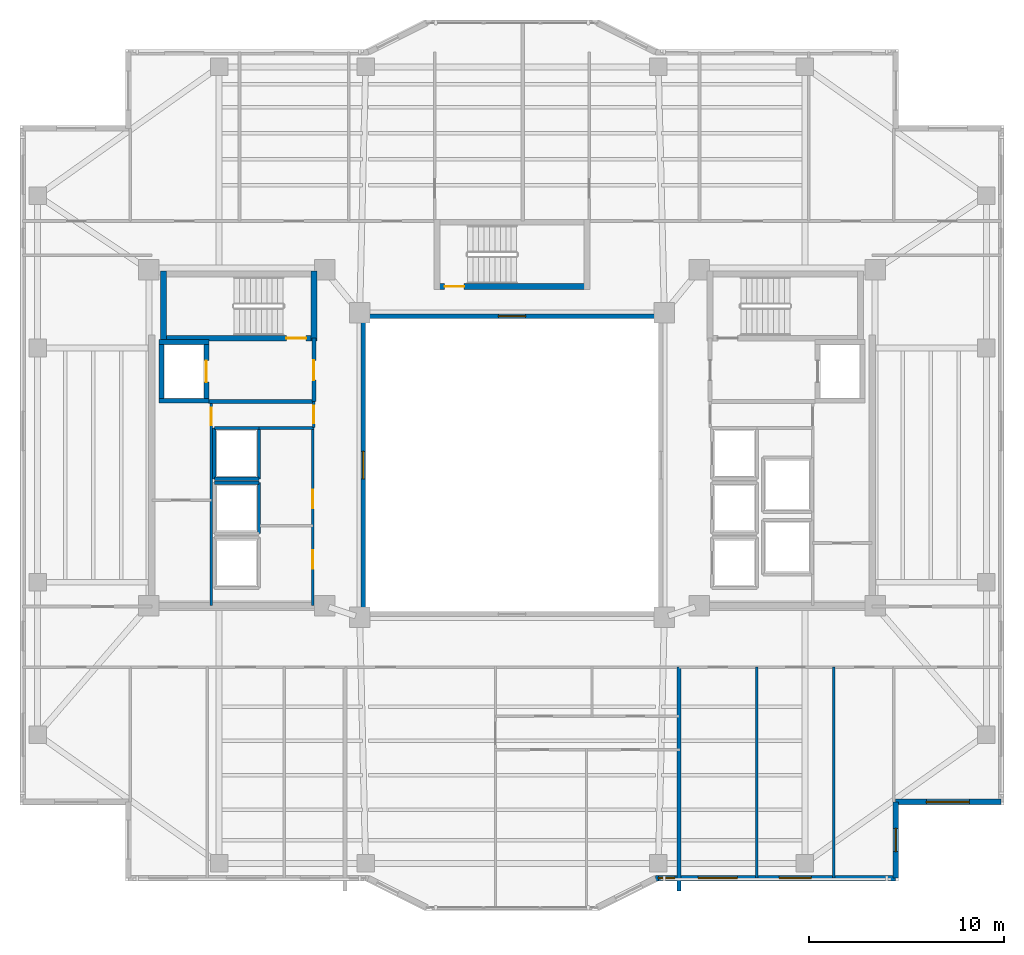
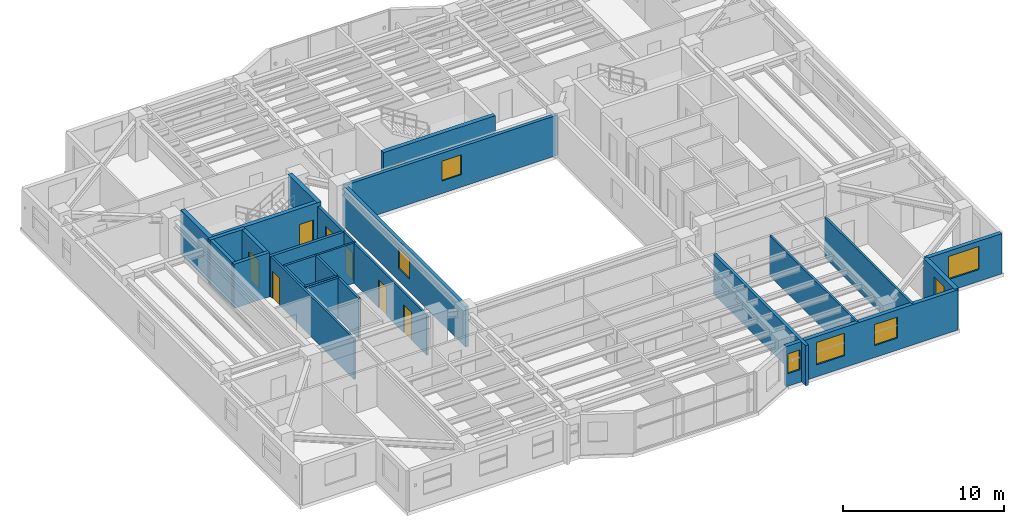
# One storey, part 7 of 15: 28 walls, 8 doors, 7 windows, 15 openings.
"""IFC4 building model written with IfcOpenShell, lengths in metres."""

import ifcopenshell
import ifcopenshell.guid

model = None  # the IFC model being written
_history = None  # IfcOwnerHistory: only IFC2X3 demands one
_inside = {}  # id of a spatial element -> (the spatial element, [elements in it])
_under = {}  # id of a project, library or spatial element -> (it, [spatial elements below it])
_declared = {}  # id of a project -> (the project, [libraries it declares])
_typed = {}  # id of a type object -> (the type object, [elements of that type])
_made_of = {}  # id of a material, layer set ... -> (it, [elements and type objects made of it])


def new_model(schema):
    """Start an empty IFC model of exactly this schema.

    Asked for "IFC4X3", IfcOpenShell would pick the latest addendum, in which some entities
    have other attributes; the version numbers below select the first issue.
    IFC2X3 requires an IfcOwnerHistory on every rooted entity: one is made here for all.
    """
    global model, _history
    if schema == "IFC4X3":
        model = ifcopenshell.file(schema_version=(4, 3, 0, 0))
    else:
        model = ifcopenshell.file(schema=schema)
    _inside.clear()
    _under.clear()
    _declared.clear()
    _typed.clear()
    _made_of.clear()
    _history = None
    if model.schema == "IFC2X3":
        org = make("IfcOrganization", Name="unknown")
        user = make(
            "IfcPersonAndOrganization",
            ThePerson=make("IfcPerson", FamilyName="unknown"),
            TheOrganization=org,
        )
        app = make(
            "IfcApplication",
            ApplicationDeveloper=org,
            Version="unknown",
            ApplicationFullName="unknown",
            ApplicationIdentifier="unknown",
        )
        _history = make(
            "IfcOwnerHistory",
            OwningUser=user,
            OwningApplication=app,
            ChangeAction="ADDED",
            CreationDate=0,
        )
    return model


def make(cls, **values):
    """One entity of the class cls with the attributes given. An attribute that is None is left unset."""
    return model.create_entity(
        cls, **{name: value for name, value in values.items() if value is not None}
    )


def rooted(cls, **values):
    """An entity with a GlobalId (a new one), such as an element, a storey or a relation."""
    return make(cls, GlobalId=ifcopenshell.guid.new(), OwnerHistory=_history, **values)


def si_unit(unit_type, name, prefix=None):
    """IfcSIUnit, for example si_unit("LENGTHUNIT", "METRE", prefix="MILLI")."""
    return make("IfcSIUnit", UnitType=unit_type, Prefix=prefix, Name=name)


def assignment(units):
    """IfcUnitAssignment: the units of a project."""
    return None if units is None else make("IfcUnitAssignment", Units=units)


def point(xyz):
    """IfcCartesianPoint."""
    return None if xyz is None else make("IfcCartesianPoint", Coordinates=xyz)


def direction(xyz):
    """IfcDirection."""
    return None if xyz is None else make("IfcDirection", DirectionRatios=xyz)


def frame(location, z_axis=None, x_axis=None):
    """IfcAxis2Placement3D, a coordinate frame: its origin and axes. An axis left out is left unset."""
    return make(
        "IfcAxis2Placement3D",
        Location=point(location),
        Axis=direction(z_axis),
        RefDirection=direction(x_axis),
    )


def frame_2d(location, x_axis=None):
    """IfcAxis2Placement2D, a coordinate frame in the plane: its origin and x axis."""
    return make(
        "IfcAxis2Placement2D", Location=point(location), RefDirection=direction(x_axis)
    )


def origin():
    """The frame at (0, 0, 0) with its axes left unset."""
    return frame((0.0, 0.0, 0.0))


def place(relative_to, where):
    """IfcLocalPlacement: puts the frame where relative to a parent placement (None: the world)."""
    return make(
        "IfcLocalPlacement", PlacementRelTo=relative_to, RelativePlacement=where
    )


def context(
    kind, dimensions, precision=None, world=None, true_north=None, identifier=None
):
    """IfcGeometricRepresentationContext, for example the 3D "Model" context."""
    return make(
        "IfcGeometricRepresentationContext",
        ContextIdentifier=identifier,
        ContextType=kind,
        CoordinateSpaceDimension=dimensions,
        Precision=precision,
        WorldCoordinateSystem=world,
        TrueNorth=true_north,
    )


def subcontext(parent, identifier, kind, view, scale=None):
    """IfcGeometricRepresentationSubContext, for example "Body" below "Model"."""
    return make(
        "IfcGeometricRepresentationSubContext",
        ContextIdentifier=identifier,
        ContextType=kind,
        ParentContext=parent,
        TargetScale=scale,
        TargetView=view,
    )


def project(units=None, contexts=None):
    """IfcProject with its units and contexts."""
    return rooted(
        "IfcProject",
        Name="project",
        RepresentationContexts=contexts,
        UnitsInContext=assignment(units),
    )


def spatial(cls, under=None, at=None, **own):
    """A site, building, storey or space (cls), placed at a placement, below another one or the project."""
    s = rooted(cls, ObjectPlacement=at, **own)
    if under is not None:
        _under.setdefault(under.id(), (under, []))[1].append(s)
    return s


def profile(cls, at=None, kind="AREA", **sizes):
    """A parametric profile (cls). Its sizes go by their IFC names, for example OverallWidth=200.0."""
    return make(cls, ProfileType=kind, Position=at, **sizes)


def rectangle(**sizes):
    """IfcRectangleProfileDef."""
    return profile("IfcRectangleProfileDef", **sizes)


def extrude(swept, where, along, depth):
    """IfcExtrudedAreaSolid: the profile swept, set in the frame where, extruded along a direction by depth."""
    return make(
        "IfcExtrudedAreaSolid",
        SweptArea=swept,
        Position=where,
        ExtrudedDirection=direction(along),
        Depth=depth,
    )


def shape(context_of_items, identifier, shape_type, items):
    """IfcShapeRepresentation: the items that make up one representation, for example the "Body"."""
    return make(
        "IfcShapeRepresentation",
        ContextOfItems=context_of_items,
        RepresentationIdentifier=identifier,
        RepresentationType=shape_type,
        Items=items,
    )


def material(Name=None, Category=None):
    """IfcMaterial."""
    return make("IfcMaterial", Name=Name, Category=Category)


def layer(
    of_material, thickness, ventilated=None, Name=None, Category=None, Priority=None
):
    """IfcMaterialLayer: one layer of a wall or slab, of a material (None: an air gap)."""
    return make(
        "IfcMaterialLayer",
        Material=of_material,
        LayerThickness=thickness,
        IsVentilated=ventilated,
        Name=Name,
        Category=Category,
        Priority=Priority,
    )


def layer_set(layers, Name=None):
    """IfcMaterialLayerSet."""
    return make("IfcMaterialLayerSet", MaterialLayers=layers, LayerSetName=Name)


def made_of(thing, what):
    """Note that an element or type object is made of a material, layer set ...; save() writes the relation."""
    if what is not None:
        _made_of.setdefault(what.id(), (what, []))[1].append(thing)
    return thing


def type_object(cls, material=None, **own):
    """A type object (cls), such as IfcWallType, which elements share."""
    return made_of(rooted(cls, **own), material)


def element(
    cls,
    number,
    at=None,
    inside=None,
    cuts=None,
    type_object=None,
    material=None,
    context=None,
    identifier="Body",
    shape_type=None,
    held_by="IfcProductDefinitionShape",
    body=None,
    shapes=None,
    **own,
):
    """One element of the class cls, such as IfcWall. Its Tag is "e" and its number.

    at: its placement. inside: the storey or other place that contains it. cuts: it is an
    opening in that element (IfcRelVoidsElement). A single representation is given by context,
    identifier, shape_type and body (its items); several are given by shapes. held_by: the class
    of the entity that holds the representations. save() writes the other relations.
    """
    e = rooted(cls, Tag="e%d" % number, ObjectPlacement=at, **own)
    if body is not None:
        shapes = [shape(context, identifier, shape_type, body)]
    if shapes is not None:
        e.Representation = make(held_by, Representations=shapes)
    if inside is not None:
        _inside.setdefault(inside.id(), (inside, []))[1].append(e)
    if cuts is not None:
        rooted(
            "IfcRelVoidsElement", RelatingBuildingElement=cuts, RelatedOpeningElement=e
        )
    if type_object is not None:
        _typed.setdefault(type_object.id(), (type_object, []))[1].append(e)
    return made_of(e, material)


def fill(opening, filler):
    """IfcRelFillsElement: the door or window that sits in an opening."""
    return rooted(
        "IfcRelFillsElement",
        RelatingOpeningElement=opening,
        RelatedBuildingElement=filler,
    )


def aggregate(whole, parts):
    """IfcRelAggregates: a whole, such as a stair, and the parts it consists of."""
    return rooted("IfcRelAggregates", RelatingObject=whole, RelatedObjects=parts)


def save(model, path):
    """Write the relations noted so far, then the file.

    IfcRelAggregates (storeys below a building ...), IfcRelContainedInSpatialStructure (elements
    in a storey), IfcRelDefinesByType, IfcRelAssociatesMaterial and IfcRelDeclares: one each for
    every whole, place, type object, material and project.
    """
    for whole, parts in _under.values():
        aggregate(whole, parts)
    for where, things in _inside.values():
        rooted(
            "IfcRelContainedInSpatialStructure",
            RelatedElements=things,
            RelatingStructure=where,
        )
    for kind, things in _typed.values():
        rooted("IfcRelDefinesByType", RelatedObjects=things, RelatingType=kind)
    for what, things in _made_of.values():
        rooted("IfcRelAssociatesMaterial", RelatedObjects=things, RelatingMaterial=what)
    for by, libraries in _declared.values():
        rooted("IfcRelDeclares", RelatingContext=by, RelatedDefinitions=libraries)
    model.write(path)


model = new_model("IFC4")

# Units and contexts
model_context = context("Model", 3, precision=1e-05, world=origin(), true_north=direction((0.0, 1.0)))
body_context = subcontext(model_context, "Body", "Model", "MODEL_VIEW")
ifc_project = project(units=[si_unit("LENGTHUNIT", "METRE"), si_unit("AREAUNIT", "SQUARE_METRE"), si_unit("VOLUMEUNIT", "CUBIC_METRE"), si_unit("PLANEANGLEUNIT", "RADIAN"), si_unit("MASSUNIT", "GRAM", prefix="KILO")], contexts=[model_context])

# Site, building, storey
site_placement = place(None, origin())
site = spatial("IfcSite", under=ifc_project, at=site_placement, CompositionType="ELEMENT")
building_placement = place(site_placement, origin())
building = spatial("IfcBuilding", under=site, at=building_placement, Name="Tarnavaz Court Tower", CompositionType="ELEMENT")
storey_placement = place(building_placement, frame((0.0, 0.0, 169.449951171875)))
storey = spatial("IfcBuildingStorey", under=building, at=storey_placement, Name="L46", CompositionType="ELEMENT", Elevation=169.449951171875)

# Wall
ifc_material_1 = material(Name="Concrete C50/60", Category="concrete")
ifc_layer_1 = layer(ifc_material_1, 0.25)
ifc_layer_set_1 = layer_set([ifc_layer_1], Name="Concrete C50/60")
wall_type_1 = type_object("IfcWallType", Name="WL-CORE-250-C50", PredefinedType="SHEAR", material=ifc_layer_set_1)
wall_1_placement = place(storey_placement, frame((-17.949951171875, 3.175048828125, 0.0), z_axis=(0.0, 0.0, 1.0), x_axis=(0.0, 1.0, 0.0)))
element("IfcWall", 1, at=wall_1_placement, inside=storey, type_object=wall_type_1, Name="L46 Lift FL-W1 Shaft Wall 017", PredefinedType="SHEAR", context=body_context, shape_type="SweptSolid", body=[
    extrude(rectangle(XDim=3.25, YDim=0.25, at=frame_2d((1.625, 0.0))), origin(), (0.0, 0.0, 1.0), 3.35009765625),
])

# Wall, opening, door
wall_2_placement = place(storey_placement, frame((-15.64990234375, 3.175048828125, 0.0), z_axis=(0.0, 0.0, 1.0), x_axis=(0.0, 1.0, 0.0)))
wall_2 = element("IfcWall", 2, at=wall_2_placement, inside=storey, type_object=wall_type_1, Name="L46 Lift FL-W1 Shaft Wall 018", PredefinedType="SHEAR", context=body_context, shape_type="SweptSolid", body=[
    extrude(rectangle(XDim=3.25, YDim=0.25, at=frame_2d((1.625, 0.0))), origin(), (0.0, 0.0, 1.0), 3.35009765625),
])
opening_1_placement = place(wall_2_placement, frame((1.074951171875, 0.0, 0.0)))
opening_1 = element("IfcOpeningElement", 3, at=opening_1_placement, cuts=wall_2, Name="Opening LD1", PredefinedType="OPENING", context=body_context, shape_type="SweptSolid", body=[
    extrude(rectangle(XDim=1.10009765625, YDim=2.14990234375, at=frame_2d((0.550048828125, 1.074951171875))), frame((0.0, 0.135009765625, 0.0), z_axis=(0.0, -1.0, 0.0), x_axis=(1.0, 0.0, 0.0)), (0.0, 0.0, 1.0), 0.27001953125),
])
ifc_material_2 = material(Name="Stainless Steel", Category="steel")
door_type_1 = type_object("IfcDoorType", Name="DR-LD-1100", OperationType="NOTDEFINED", PredefinedType="DOOR", material=ifc_material_2)
door_1_placement = place(opening_1_placement, origin())
door_1 = element("IfcDoor", 4, at=door_1_placement, inside=storey, type_object=door_type_1, Name="L46 Lift Landing Door LD-FL-W1", OperationType="SLIDING_TO_LEFT", OverallHeight=2.14990234375, OverallWidth=1.10009765625, PredefinedType="DOOR", context=body_context, shape_type="SweptSolid", body=[
    extrude(rectangle(XDim=1.10009765625, YDim=2.14990234375, at=frame_2d((0.550048828125, 1.074951171875))), frame((0.0, 0.02490234375, 0.0), z_axis=(0.0, -1.0, 0.0), x_axis=(1.0, 0.0, 0.0)), (0.0, 0.0, 1.0), 0.050048828125),
])
fill(opening_1, door_1)

# Walls
for number, where, z_axis, x_axis, name in (
    (5, (-18.074951171875, 3.300048828125, 0.0), (0.0, 0.0, 1.0), (1.0, 0.0, 0.0), "L46 Lift FL-W1 Shaft Wall 019"),
    (6, (-18.074951171875, 6.300048828125, 0.0), (0.0, 0.0, 1.0), (1.0, 0.0, 0.0), "L46 Lift FL-W1 Shaft Wall 020"),
):
    element("IfcWall", number, at=place(storey_placement, frame(where, z_axis=z_axis, x_axis=x_axis)), inside=storey, type_object=wall_type_1, Name=name, PredefinedType="SHEAR", context=body_context, shape_type="SweptSolid", body=[
        extrude(rectangle(XDim=2.550048828125, YDim=0.25, at=frame_2d((1.27490234375, 0.0))), origin(), (0.0, 0.0, 1.0), 3.35009765625),
    ])

# Wall, opening, door
ifc_layer_2 = layer(ifc_material_1, 0.300048828125)
ifc_layer_set_2 = layer_set([ifc_layer_2], Name="Concrete C50/60")
wall_type_2 = type_object("IfcWallType", Name="WL-CORE-300-C50", PredefinedType="SHEAR", material=ifc_layer_set_2)
wall_3_placement = place(storey_placement, frame((-18.0, 6.5, 0.0), z_axis=(0.0, 0.0, 1.0), x_axis=(1.0, 0.0, 0.0)))
wall_3 = element("IfcWall", 7, at=wall_3_placement, inside=storey, type_object=wall_type_2, Name="L46 West Stair Core Wall 002", PredefinedType="SHEAR", context=body_context, shape_type="SweptSolid", body=[
    extrude(rectangle(XDim=8.0, YDim=0.300048828125, at=frame_2d((4.0, 0.0))), origin(), (0.0, 0.0, 1.0), 3.35009765625),
])
opening_2_placement = place(wall_3_placement, frame((6.449951171875, 0.0, 0.0)))
opening_2 = element("IfcOpeningElement", 8, at=opening_2_placement, cuts=wall_3, Name="Opening D01", PredefinedType="OPENING", context=body_context, shape_type="SweptSolid", body=[
    extrude(rectangle(XDim=1.0, YDim=2.14990234375, at=frame_2d((0.5, 1.074951171875))), frame((0.0, 0.159912109375, 0.0), z_axis=(0.0, -1.0, 0.0), x_axis=(1.0, 0.0, 0.0)), (0.0, 0.0, 1.0), 0.320068359375),
])
ifc_material_3 = material(Name="Fire-Rated Hardwood Timber Core", Category="wood")
door_type_2 = type_object("IfcDoorType", Name="DR-FD90-1000", OperationType="NOTDEFINED", PredefinedType="DOOR", material=ifc_material_3)
door_2_placement = place(opening_2_placement, origin())
door_2 = element("IfcDoor", 9, at=door_2_placement, inside=storey, type_object=door_type_2, Name="L46 Stair ST-W1 Exit Door", OperationType="SINGLE_SWING_LEFT", OverallHeight=2.14990234375, OverallWidth=1.0, PredefinedType="DOOR", context=body_context, shape_type="SweptSolid", body=[
    extrude(rectangle(XDim=1.0, YDim=2.14990234375, at=frame_2d((0.5, 1.074951171875))), frame((0.0, 0.02490234375, 0.0), z_axis=(0.0, -1.0, 0.0), x_axis=(1.0, 0.0, 0.0)), (0.0, 0.0, 1.0), 0.050048828125),
])
fill(opening_2, door_2)

# Walls
for number, where, z_axis, x_axis, name in (
    (10, (-17.85009765625, 6.35009765625, 0.0), (0.0, 0.0, 1.0), (0.0, 1.0, 0.0), "L46 West Stair Core Wall 003"),
    (11, (-10.14990234375, 6.35009765625, 0.0), (0.0, 0.0, 1.0), (0.0, 1.0, 0.0), "L46 West Stair Core Wall 004"),
):
    element("IfcWall", number, at=place(storey_placement, frame(where, z_axis=z_axis, x_axis=x_axis)), inside=storey, type_object=wall_type_2, Name=name, PredefinedType="SHEAR", context=body_context, shape_type="SweptSolid", body=[
        extrude(rectangle(XDim=3.58984375, YDim=0.300048828125, at=frame_2d((1.794921875, 0.0))), origin(), (0.0, 0.0, 1.0), 3.35009765625),
    ])

# Wall, opening, door
wall_4_placement = place(storey_placement, frame((-4.0, 9.14990234375, 0.0), z_axis=(0.0, 0.0, 1.0), x_axis=(1.0, 0.0, 0.0)))
wall_4 = element("IfcWall", 12, at=wall_4_placement, inside=storey, type_object=wall_type_2, Name="L46 North Stair Core Wall 010", PredefinedType="SHEAR", context=body_context, shape_type="SweptSolid", body=[
    extrude(rectangle(XDim=8.0, YDim=0.300048828125, at=frame_2d((4.0, 0.0))), origin(), (0.0, 0.0, 1.0), 3.35009765625),
])
opening_3_placement = place(wall_4_placement, frame((0.550048828125, 0.0, 0.0)))
opening_3 = element("IfcOpeningElement", 13, at=opening_3_placement, cuts=wall_4, Name="Opening D01", PredefinedType="OPENING", context=body_context, shape_type="SweptSolid", body=[
    extrude(rectangle(XDim=1.0, YDim=2.14990234375, at=frame_2d((0.5, 1.074951171875))), frame((0.0, 0.159912109375, 0.0), z_axis=(0.0, -1.0, 0.0), x_axis=(1.0, 0.0, 0.0)), (0.0, 0.0, 1.0), 0.320068359375),
])
door_3_placement = place(opening_3_placement, origin())
door_3 = element("IfcDoor", 14, at=door_3_placement, inside=storey, type_object=door_type_2, Name="L46 Stair ST-N1 Exit Door", OperationType="SINGLE_SWING_LEFT", OverallHeight=2.14990234375, OverallWidth=1.0, PredefinedType="DOOR", context=body_context, shape_type="SweptSolid", body=[
    extrude(rectangle(XDim=1.0, YDim=2.14990234375, at=frame_2d((0.5, 1.074951171875))), frame((0.0, 0.02490234375, 0.0), z_axis=(0.0, -1.0, 0.0), x_axis=(1.0, 0.0, 0.0)), (0.0, 0.0, 1.0), 0.050048828125),
])
fill(opening_3, door_3)

# Wall, opening, window
ifc_material_4 = material(Name="Precast Concrete C40/50", Category="concrete")
ifc_layer_3 = layer(ifc_material_4, 0.280029296875)
ifc_layer_set_3 = layer_set([ifc_layer_3], Name="Precast Concrete C40/50")
wall_type_3 = type_object("IfcWallType", Name="WL-EXT-280", PredefinedType="SOLIDWALL", material=ifc_layer_set_3)
wall_5_placement = place(storey_placement, frame((25.050048828125, -17.25, 0.0), z_axis=(0.0, 0.0, 1.0), x_axis=(-1.0, 0.0, 0.0)))
wall_5 = element("IfcWall", 15, at=wall_5_placement, inside=storey, type_object=wall_type_3, Name="L46 Exterior Terracotta Facade Wall 13", PredefinedType="SOLIDWALL", context=body_context, shape_type="SweptSolid", body=[
    extrude(rectangle(XDim=5.400146484375, YDim=0.280029296875, at=frame_2d((2.7001953125, 0.0))), origin(), (0.0, 0.0, 1.0), 3.050048828125),
])
opening_4_placement = place(wall_5_placement, frame((1.625, 0.0, 0.89990234375)))
opening_4 = element("IfcOpeningElement", 16, at=opening_4_placement, cuts=wall_5, Name="Opening W07", PredefinedType="OPENING", context=body_context, shape_type="SweptSolid", body=[
    extrude(rectangle(XDim=2.199951171875, YDim=1.75, at=frame_2d((1.10009765625, 0.875))), frame((0.0, 0.14990234375, 0.0), z_axis=(0.0, -1.0, 0.0), x_axis=(1.0, 0.0, 0.0)), (0.0, 0.0, 1.0), 0.300048828125),
])
ifc_material_5 = material(Name="Double-Glazed Solar Low-E Glass", Category="glass")
window_type_1 = type_object("IfcWindowType", Name="WN-APT-2200", PartitioningType="TRIPLE_PANEL_VERTICAL", PredefinedType="WINDOW", material=ifc_material_5)
window_1_placement = place(opening_4_placement, origin())
window_1 = element("IfcWindow", 17, at=window_1_placement, inside=storey, type_object=window_type_1, Name="L46 South-East Corner Reading Room Window", OverallHeight=1.75, OverallWidth=2.199951171875, PartitioningType="SINGLE_PANEL", PredefinedType="WINDOW", context=body_context, shape_type="SweptSolid", body=[
    extrude(rectangle(XDim=2.199951171875, YDim=1.75, at=frame_2d((1.10009765625, 0.875))), frame((0.0, 0.030029296875, 0.0), z_axis=(0.0, -1.0, 0.0), x_axis=(1.0, 0.0, 0.0)), (0.0, 0.0, 1.0), 0.06005859375),
])
fill(opening_4, window_1)

wall_6_placement = place(storey_placement, frame((19.64990234375, -17.25, 0.0), z_axis=(0.0, 0.0, 1.0), x_axis=(0.0, -1.0, 0.0)))
wall_6 = element("IfcWall", 18, at=wall_6_placement, inside=storey, type_object=wall_type_3, Name="L46 Exterior Terracotta Facade Wall 14", PredefinedType="SOLIDWALL", context=body_context, shape_type="SweptSolid", body=[
    extrude(rectangle(XDim=3.89990234375, YDim=0.280029296875, at=frame_2d((1.949951171875, 0.0))), origin(), (0.0, 0.0, 1.0), 3.050048828125),
])
opening_5_placement = place(wall_6_placement, frame((1.35009765625, 0.0, 0.949951171875)))
opening_5 = element("IfcOpeningElement", 19, at=opening_5_placement, cuts=wall_6, Name="Opening W05", PredefinedType="OPENING", context=body_context, shape_type="SweptSolid", body=[
    extrude(rectangle(XDim=1.199951171875, YDim=1.5, at=frame_2d((0.60009765625, 0.75))), frame((0.0, 0.14990234375, 0.0), z_axis=(0.0, -1.0, 0.0), x_axis=(1.0, 0.0, 0.0)), (0.0, 0.0, 1.0), 0.300048828125),
])
window_type_2 = type_object("IfcWindowType", Name="WN-APT-1200", PartitioningType="SINGLE_PANEL", PredefinedType="WINDOW", material=ifc_material_5)
window_2_placement = place(opening_5_placement, origin())
window_2 = element("IfcWindow", 20, at=window_2_placement, inside=storey, type_object=window_type_2, Name="L46 Prow Cheek Bedroom Window 14", OverallHeight=1.5, OverallWidth=1.199951171875, PartitioningType="SINGLE_PANEL", PredefinedType="WINDOW", context=body_context, shape_type="SweptSolid", body=[
    extrude(rectangle(XDim=1.199951171875, YDim=1.5, at=frame_2d((0.60009765625, 0.75))), frame((0.0, 0.030029296875, 0.0), z_axis=(0.0, -1.0, 0.0), x_axis=(1.0, 0.0, 0.0)), (0.0, 0.0, 1.0), 0.06005859375),
])
fill(opening_5, window_2)

# Wall, openings, windows
wall_7_placement = place(storey_placement, frame((19.64990234375, -21.14990234375, 0.0), z_axis=(0.0, 0.0, 1.0), x_axis=(-1.0, 0.0, 0.0)))
wall_7 = element("IfcWall", 21, at=wall_7_placement, inside=storey, type_object=wall_type_3, Name="L46 Exterior Terracotta Facade Wall 15", PredefinedType="SOLIDWALL", context=body_context, shape_type="SweptSolid", body=[
    extrude(rectangle(XDim=12.2998046875, YDim=0.280029296875, at=frame_2d((6.14990234375, 0.0))), origin(), (0.0, 0.0, 1.0), 3.050048828125),
])
opening_6_placement = place(wall_7_placement, frame((4.32080078125, 0.0, 0.89990234375)))
opening_6 = element("IfcOpeningElement", 22, at=opening_6_placement, cuts=wall_7, Name="Opening W02", PredefinedType="OPENING", context=body_context, shape_type="SweptSolid", body=[
    extrude(rectangle(XDim=1.64990234375, YDim=1.60009765625, at=frame_2d((0.824951171875, 0.800048828125))), frame((0.0, 0.14990234375, 0.0), z_axis=(0.0, -1.0, 0.0), x_axis=(1.0, 0.0, 0.0)), (0.0, 0.0, 1.0), 0.300048828125),
])
opening_7_placement = place(wall_7_placement, frame((8.112060546875, 0.0, 0.89990234375)))
opening_7 = element("IfcOpeningElement", 23, at=opening_7_placement, cuts=wall_7, Name="Opening W08", PredefinedType="OPENING", context=body_context, shape_type="SweptSolid", body=[
    extrude(rectangle(XDim=2.0, YDim=1.699951171875, at=frame_2d((1.0, 0.85009765625))), frame((0.0, 0.14990234375, 0.0), z_axis=(0.0, -1.0, 0.0), x_axis=(1.0, 0.0, 0.0)), (0.0, 0.0, 1.0), 0.300048828125),
])
opening_8_placement = place(wall_7_placement, frame((11.302978515625, 0.0, 0.949951171875)))
opening_8 = element("IfcOpeningElement", 24, at=opening_8_placement, cuts=wall_7, Name="Opening W15", PredefinedType="OPENING", context=body_context, shape_type="SweptSolid", body=[
    extrude(rectangle(XDim=0.85009765625, YDim=1.5, at=frame_2d((0.425048828125, 0.75))), frame((0.0, 0.14990234375, 0.0), z_axis=(0.0, -1.0, 0.0), x_axis=(1.0, 0.0, 0.0)), (0.0, 0.0, 1.0), 0.300048828125),
])
window_type_3 = type_object("IfcWindowType", Name="WN-APT-1650", PartitioningType="DOUBLE_PANEL_VERTICAL", PredefinedType="WINDOW", material=ifc_material_5)
window_3_placement = place(opening_6_placement, origin())
window_3 = element("IfcWindow", 25, at=window_3_placement, inside=storey, type_object=window_type_3, Name="L46 Craft and Maker Workshop Room Window", OverallHeight=1.60009765625, OverallWidth=1.64990234375, PartitioningType="SINGLE_PANEL", PredefinedType="WINDOW", context=body_context, shape_type="SweptSolid", body=[
    extrude(rectangle(XDim=1.64990234375, YDim=1.60009765625, at=frame_2d((0.824951171875, 0.800048828125))), frame((0.0, 0.030029296875, 0.0), z_axis=(0.0, -1.0, 0.0), x_axis=(1.0, 0.0, 0.0)), (0.0, 0.0, 1.0), 0.06005859375),
])
fill(opening_6, window_3)
window_type_4 = type_object("IfcWindowType", Name="WN-APT-2000", PartitioningType="DOUBLE_PANEL_VERTICAL", PredefinedType="WINDOW", material=ifc_material_5)
window_4_placement = place(opening_7_placement, origin())
window_4 = element("IfcWindow", 26, at=window_4_placement, inside=storey, type_object=window_type_4, Name="L46 Resident Community Meeting Room Window", OverallHeight=1.699951171875, OverallWidth=2.0, PartitioningType="SINGLE_PANEL", PredefinedType="WINDOW", context=body_context, shape_type="SweptSolid", body=[
    extrude(rectangle(XDim=2.0, YDim=1.699951171875, at=frame_2d((1.0, 0.85009765625))), frame((0.0, 0.030029296875, 0.0), z_axis=(0.0, -1.0, 0.0), x_axis=(1.0, 0.0, 0.0)), (0.0, 0.0, 1.0), 0.06005859375),
])
fill(opening_7, window_4)
window_type_5 = type_object("IfcWindowType", Name="WN-APT-850", PartitioningType="SINGLE_PANEL", PredefinedType="WINDOW", material=ifc_material_5)
window_5_placement = place(opening_8_placement, origin())
window_5 = element("IfcWindow", 27, at=window_5_placement, inside=storey, type_object=window_type_5, Name="L46 Flat 01 Bedroom 2 Window", OverallHeight=1.5, OverallWidth=0.85009765625, PartitioningType="SINGLE_PANEL", PredefinedType="WINDOW", context=body_context, shape_type="SweptSolid", body=[
    extrude(rectangle(XDim=0.85009765625, YDim=1.5, at=frame_2d((0.425048828125, 0.75))), frame((0.0, 0.030029296875, 0.0), z_axis=(0.0, -1.0, 0.0), x_axis=(1.0, 0.0, 0.0)), (0.0, 0.0, 1.0), 0.06005859375),
])
fill(opening_8, window_5)

# Wall
ifc_material_6 = material(Name="Autoclaved Aerated Concrete Blockwork", Category="masonry")
ifc_layer_4 = layer(ifc_material_6, 0.199951171875)
ifc_layer_set_4 = layer_set([ifc_layer_4], Name="Autoclaved Aerated Concrete Blockwork")
wall_type_4 = type_object("IfcWallType", Name="WL-FIRE-200", PredefinedType="SOLIDWALL", material=ifc_layer_set_4)
wall_8_placement = place(storey_placement, frame((-15.550048828125, 3.25, 0.0), z_axis=(0.0, 0.0, 1.0), x_axis=(1.0, 0.0, 0.0)))
element("IfcWall", 28, at=wall_8_placement, inside=storey, type_object=wall_type_4, Name="L46 West Firefighting Lobby Wall 013", PredefinedType="SOLIDWALL", context=body_context, shape_type="SweptSolid", body=[
    extrude(rectangle(XDim=5.400146484375, YDim=0.199951171875, at=frame_2d((2.7001953125, 0.0))), origin(), (0.0, 0.0, 1.0), 3.050048828125),
])

# Wall, opening, door
wall_9_placement = place(storey_placement, frame((-10.14990234375, 3.25, 0.0), z_axis=(0.0, 0.0, 1.0), x_axis=(0.0, 1.0, 0.0)))
wall_9 = element("IfcWall", 29, at=wall_9_placement, inside=storey, type_object=wall_type_4, Name="L46 West Firefighting Lobby Wall 014", PredefinedType="SOLIDWALL", context=body_context, shape_type="SweptSolid", body=[
    extrude(rectangle(XDim=3.25, YDim=0.199951171875, at=frame_2d((1.625, 0.0))), origin(), (0.0, 0.0, 1.0), 3.050048828125),
])
opening_9_placement = place(wall_9_placement, frame((1.10009765625, 0.0, 0.0)))
opening_9 = element("IfcOpeningElement", 30, at=opening_9_placement, cuts=wall_9, Name="Opening D05", PredefinedType="OPENING", context=body_context, shape_type="SweptSolid", body=[
    extrude(rectangle(XDim=1.02001953125, YDim=2.14990234375, at=frame_2d((0.510009765625, 1.074951171875))), frame((0.0, 0.10986328125, 0.0), z_axis=(0.0, -1.0, 0.0), x_axis=(1.0, 0.0, 0.0)), (0.0, 0.0, 1.0), 0.219970703125),
])
door_type_3 = type_object("IfcDoorType", Name="DR-FD60-1000", OperationType="NOTDEFINED", PredefinedType="DOOR", material=ifc_material_3)
door_4_placement = place(opening_9_placement, origin())
door_4 = element("IfcDoor", 31, at=door_4_placement, inside=storey, type_object=door_type_3, Name="L46 West Firefighting Lobby Door", OperationType="SINGLE_SWING_RIGHT", OverallHeight=2.14990234375, OverallWidth=1.02001953125, PredefinedType="DOOR", context=body_context, shape_type="SweptSolid", body=[
    extrude(rectangle(XDim=1.02001953125, YDim=2.14990234375, at=frame_2d((0.510009765625, 1.074951171875))), frame((0.0, 0.02490234375, 0.0), z_axis=(0.0, -1.0, 0.0), x_axis=(1.0, 0.0, 0.0)), (0.0, 0.0, 1.0), 0.050048828125),
])
fill(opening_9, door_4)

# Walls
wall_10_placement = place(storey_placement, frame((8.550048828125, -21.803955078125, 0.0), z_axis=(0.0, 0.0, 1.0), x_axis=(0.0, 1.0, 0.0)))
element("IfcWall", 32, at=wall_10_placement, inside=storey, type_object=wall_type_4, Name="L46 Party Wall 087", PredefinedType="SOLIDWALL", context=body_context, shape_type="SweptSolid", body=[
    extrude(rectangle(XDim=11.453857421875, YDim=0.199951171875, at=frame_2d((5.72705078125, 0.0))), origin(), (0.0, 0.0, 1.0), 3.050048828125),
])
ifc_material_7 = material(Name="Gypsum Plasterboard Acoustic Partition", Category="masonry")
ifc_layer_5 = layer(ifc_material_7, 0.139892578125)
ifc_layer_set_5 = layer_set([ifc_layer_5], Name="Gypsum Plasterboard Acoustic Partition")
wall_type_5 = type_object("IfcWallType", Name="WL-PART-150", PredefinedType="PARTITIONING", material=ifc_layer_set_5)
wall_11_placement = place(storey_placement, frame((-12.949951171875, 1.89990234375, 0.0), z_axis=(0.0, 0.0, 1.0), x_axis=(1.0, 0.0, 0.0)))
element("IfcWall", 33, at=wall_11_placement, inside=storey, type_object=wall_type_5, Name="L46 Interior Partition 061", PredefinedType="PARTITIONING", context=body_context, shape_type="SweptSolid", body=[
    extrude(rectangle(XDim=2.800048828125, YDim=0.139892578125, at=frame_2d((1.39990234375, 0.0))), origin(), (0.0, 0.0, 1.0), 3.050048828125),
])

# Wall, opening, door
wall_12_placement = place(storey_placement, frame((-10.14990234375, 1.919921875, 0.0), z_axis=(0.0, 0.0, 1.0), x_axis=(0.0, 1.0, 0.0)))
wall_12 = element("IfcWall", 34, at=wall_12_placement, inside=storey, type_object=wall_type_5, Name="L46 Interior Partition 062", PredefinedType="PARTITIONING", context=body_context, shape_type="SweptSolid", body=[
    extrude(rectangle(XDim=1.330078125, YDim=0.139892578125, at=frame_2d((0.6650390625, 0.0))), origin(), (0.0, 0.0, 1.0), 3.050048828125),
])
opening_10_placement = place(wall_12_placement, frame((0.219970703125, 0.0, 0.0)))
opening_10 = element("IfcOpeningElement", 35, at=opening_10_placement, cuts=wall_12, Name="Opening D09", PredefinedType="OPENING", context=body_context, shape_type="SweptSolid", body=[
    extrude(rectangle(XDim=0.89990234375, YDim=2.080078125, at=frame_2d((0.449951171875, 1.0400390625))), frame((0.0, 0.079833984375, 0.0), z_axis=(0.0, -1.0, 0.0), x_axis=(1.0, 0.0, 0.0)), (0.0, 0.0, 1.0), 0.159912109375),
])
door_type_4 = type_object("IfcDoorType", Name="DR-FD30-900", OperationType="NOTDEFINED", PredefinedType="DOOR", material=ifc_material_3)
door_5_placement = place(opening_10_placement, origin())
door_5 = element("IfcDoor", 36, at=door_5_placement, inside=storey, type_object=door_type_4, Name="L46 West Core Service Lobby Door", OperationType="SINGLE_SWING_LEFT", OverallHeight=2.080078125, OverallWidth=0.89990234375, PredefinedType="DOOR", context=body_context, shape_type="SweptSolid", body=[
    extrude(rectangle(XDim=0.89990234375, YDim=2.080078125, at=frame_2d((0.449951171875, 1.0400390625))), frame((0.0, 0.02490234375, 0.0), z_axis=(0.0, -1.0, 0.0), x_axis=(1.0, 0.0, 0.0)), (0.0, 0.0, 1.0), 0.050048828125),
])
fill(opening_10, door_5)

wall_13_placement = place(storey_placement, frame((-15.39990234375, -7.199951171875, 0.0), z_axis=(0.0, 0.0, 1.0), x_axis=(0.0, 1.0, 0.0)))
wall_13 = element("IfcWall", 37, at=wall_13_placement, inside=storey, type_object=wall_type_5, Name="L46 Interior Partition 063", PredefinedType="PARTITIONING", context=body_context, shape_type="SweptSolid", body=[
    extrude(rectangle(XDim=10.449951171875, YDim=0.139892578125, at=frame_2d((5.22509765625, 0.0))), origin(), (0.0, 0.0, 1.0), 3.050048828125),
])
opening_11_placement = place(wall_13_placement, frame((9.25, 0.0, 0.0)))
opening_11 = element("IfcOpeningElement", 38, at=opening_11_placement, cuts=wall_13, Name="Opening D09", PredefinedType="OPENING", context=body_context, shape_type="SweptSolid", body=[
    extrude(rectangle(XDim=0.89990234375, YDim=2.080078125, at=frame_2d((0.449951171875, 1.0400390625))), frame((0.0, 0.079833984375, 0.0), z_axis=(0.0, -1.0, 0.0), x_axis=(1.0, 0.0, 0.0)), (0.0, 0.0, 1.0), 0.159912109375),
])
door_6_placement = place(opening_11_placement, origin())
door_6 = element("IfcDoor", 39, at=door_6_placement, inside=storey, type_object=door_type_4, Name="L46 West Telecom Room Door", OperationType="SINGLE_SWING_RIGHT", OverallHeight=2.080078125, OverallWidth=0.89990234375, PredefinedType="DOOR", context=body_context, shape_type="SweptSolid", body=[
    extrude(rectangle(XDim=0.89990234375, YDim=2.080078125, at=frame_2d((0.449951171875, 1.0400390625))), frame((0.0, 0.02490234375, 0.0), z_axis=(0.0, -1.0, 0.0), x_axis=(1.0, 0.0, 0.0)), (0.0, 0.0, 1.0), 0.050048828125),
])
fill(opening_11, door_6)

# Wall, openings, doors
wall_14_placement = place(storey_placement, frame((-10.199951171875, -7.199951171875, 0.0), z_axis=(0.0, 0.0, 1.0), x_axis=(0.0, 1.0, 0.0)))
wall_14 = element("IfcWall", 40, at=wall_14_placement, inside=storey, type_object=wall_type_5, Name="L46 West Reclaimed Core Wall 065", PredefinedType="PARTITIONING", context=body_context, shape_type="SweptSolid", body=[
    extrude(rectangle(XDim=9.119873046875, YDim=0.139892578125, at=frame_2d((4.56005859375, 0.0))), origin(), (0.0, 0.0, 1.0), 3.050048828125),
])
opening_12_placement = place(wall_14_placement, frame((1.89990234375, 0.0, 0.0)))
opening_12 = element("IfcOpeningElement", 41, at=opening_12_placement, cuts=wall_14, Name="Opening D08", PredefinedType="OPENING", context=body_context, shape_type="SweptSolid", body=[
    extrude(rectangle(XDim=0.949951171875, YDim=2.1201171875, at=frame_2d((0.47509765625, 1.06005859375))), frame((0.0, 0.079833984375, 0.0), z_axis=(0.0, -1.0, 0.0), x_axis=(1.0, 0.0, 0.0)), (0.0, 0.0, 1.0), 0.159912109375),
])
opening_13_placement = place(wall_14_placement, frame((5.0, 0.0, 0.0)))
opening_13 = element("IfcOpeningElement", 42, at=opening_13_placement, cuts=wall_14, Name="Opening D08", PredefinedType="OPENING", context=body_context, shape_type="SweptSolid", body=[
    extrude(rectangle(XDim=0.949951171875, YDim=2.1201171875, at=frame_2d((0.47509765625, 1.06005859375))), frame((0.0, 0.079833984375, 0.0), z_axis=(0.0, -1.0, 0.0), x_axis=(1.0, 0.0, 0.0)), (0.0, 0.0, 1.0), 0.159912109375),
])
door_type_5 = type_object("IfcDoorType", Name="DR-FD30-950", OperationType="NOTDEFINED", PredefinedType="DOOR", material=ifc_material_3)
door_7_placement = place(opening_12_placement, origin())
door_7 = element("IfcDoor", 43, at=door_7_placement, inside=storey, type_object=door_type_5, Name="L46 West Study Room Door", OperationType="SINGLE_SWING_RIGHT", OverallHeight=2.1201171875, OverallWidth=0.949951171875, PredefinedType="DOOR", context=body_context, shape_type="SweptSolid", body=[
    extrude(rectangle(XDim=0.949951171875, YDim=2.1201171875, at=frame_2d((0.47509765625, 1.06005859375))), frame((0.0, 0.02490234375, 0.0), z_axis=(0.0, -1.0, 0.0), x_axis=(1.0, 0.0, 0.0)), (0.0, 0.0, 1.0), 0.050048828125),
])
fill(opening_12, door_7)
door_8_placement = place(opening_13_placement, origin())
door_8 = element("IfcDoor", 44, at=door_8_placement, inside=storey, type_object=door_type_5, Name="L46 West Laundry Room Door", OperationType="SINGLE_SWING_LEFT", OverallHeight=2.1201171875, OverallWidth=0.949951171875, PredefinedType="DOOR", context=body_context, shape_type="SweptSolid", body=[
    extrude(rectangle(XDim=0.949951171875, YDim=2.1201171875, at=frame_2d((0.47509765625, 1.06005859375))), frame((0.0, 0.02490234375, 0.0), z_axis=(0.0, -1.0, 0.0), x_axis=(1.0, 0.0, 0.0)), (0.0, 0.0, 1.0), 0.050048828125),
])
fill(opening_13, door_8)

# Walls
for number, where, z_axis, x_axis, name in (
    (45, (12.5419921875, -21.14990234375, 0.0), (0.0, 0.0, 1.0), (0.0, 1.0, 0.0), "L46 Interior Partition 084"),
    (46, (16.48388671875, -21.14990234375, 0.0), (0.0, 0.0, 1.0), (0.0, 1.0, 0.0), "L46 Interior Partition 085"),
):
    element("IfcWall", number, at=place(storey_placement, frame(where, z_axis=z_axis, x_axis=x_axis)), inside=storey, type_object=wall_type_5, Name=name, PredefinedType="PARTITIONING", context=body_context, shape_type="SweptSolid", body=[
        extrude(rectangle(XDim=10.7998046875, YDim=0.139892578125, at=frame_2d((5.39990234375, 0.0))), origin(), (0.0, 0.0, 1.0), 3.050048828125),
    ])
ifc_layer_6 = layer(ifc_material_6, 0.159912109375)
ifc_layer_set_6 = layer_set([ifc_layer_6], Name="Autoclaved Aerated Concrete Blockwork")
wall_type_6 = type_object("IfcWallType", Name="WL-SHAFT-150", PredefinedType="SOLIDWALL", material=ifc_layer_set_6)
wall_15_placement = place(storey_placement, frame((-12.949951171875, -3.5, 0.0), z_axis=(0.0, 0.0, 1.0), x_axis=(0.0, 1.0, 0.0)))
element("IfcWall", 47, at=wall_15_placement, inside=storey, type_object=wall_type_6, Name="L46 Lift PL-H2 Shaft Wall 026", PredefinedType="SOLIDWALL", context=body_context, shape_type="SweptSolid", body=[
    extrude(rectangle(XDim=2.60009765625, YDim=0.159912109375, at=frame_2d((1.300048828125, 0.0))), origin(), (0.0, 0.0, 1.0), 3.050048828125),
])
wall_16_placement = place(storey_placement, frame((-15.25, -0.89990234375, 0.0), z_axis=(0.0, 0.0, 1.0), x_axis=(1.0, 0.0, 0.0)))
element("IfcWall", 48, at=wall_16_placement, inside=storey, type_object=wall_type_6, Name="L46 Lift PL-H2 Shaft Wall 028", PredefinedType="SOLIDWALL", context=body_context, shape_type="SweptSolid", body=[
    extrude(rectangle(XDim=2.300048828125, YDim=0.159912109375, at=frame_2d((1.14990234375, 0.0))), origin(), (0.0, 0.0, 1.0), 3.050048828125),
])
for number, where, z_axis, x_axis, name in (
    (49, (-15.25, -0.699951171875, 0.0), (0.0, 0.0, 1.0), (0.0, 1.0, 0.0), "L46 Lift PL-H3 Shaft Wall 029"),
    (50, (-12.949951171875, -0.699951171875, 0.0), (0.0, 0.0, 1.0), (0.0, 1.0, 0.0), "L46 Lift PL-H3 Shaft Wall 030"),
):
    element("IfcWall", number, at=place(storey_placement, frame(where, z_axis=z_axis, x_axis=x_axis)), inside=storey, type_object=wall_type_6, Name=name, PredefinedType="SOLIDWALL", context=body_context, shape_type="SweptSolid", body=[
        extrude(rectangle(XDim=2.599853515625, YDim=0.159912109375, at=frame_2d((1.2998046875, 0.0))), origin(), (0.0, 0.0, 1.0), 3.050048828125),
    ])
for number, where, z_axis, x_axis, name in (
    (51, (-15.25, -0.699951171875, 0.0), (0.0, 0.0, 1.0), (1.0, 0.0, 0.0), "L46 Lift PL-H3 Shaft Wall 031"),
    (52, (-15.25, 1.89990234375, 0.0), (0.0, 0.0, 1.0), (1.0, 0.0, 0.0), "L46 Lift PL-H3 Shaft Wall 032"),
):
    element("IfcWall", number, at=place(storey_placement, frame(where, z_axis=z_axis, x_axis=x_axis)), inside=storey, type_object=wall_type_6, Name=name, PredefinedType="SOLIDWALL", context=body_context, shape_type="SweptSolid", body=[
        extrude(rectangle(XDim=2.300048828125, YDim=0.159912109375, at=frame_2d((1.14990234375, 0.0))), origin(), (0.0, 0.0, 1.0), 3.050048828125),
    ])

# Wall, opening, window
ifc_layer_7 = layer(ifc_material_4, 0.239990234375)
ifc_layer_set_7 = layer_set([ifc_layer_7], Name="Precast Concrete C40/50")
wall_type_7 = type_object("IfcWallType", Name="WL-WELL-240", PredefinedType="SOLIDWALL", material=ifc_layer_set_7)
wall_17_placement = place(storey_placement, frame((7.6201171875, 7.6201171875, 0.0), z_axis=(0.0, 0.0, 1.0), x_axis=(-1.0, 0.0, 0.0)))
wall_17 = element("IfcWall", 53, at=wall_17_placement, inside=storey, type_object=wall_type_7, Name="L46 Badgir Light-Well Exterior Wall N", PredefinedType="SOLIDWALL", context=body_context, shape_type="SweptSolid", body=[
    extrude(rectangle(XDim=15.240234375, YDim=0.239990234375, at=frame_2d((7.6201171875, 0.0))), origin(), (0.0, 0.0, 1.0), 3.050048828125),
])
opening_14_placement = place(wall_17_placement, frame((6.919921875, 0.0, 0.949951171875)))
opening_14 = element("IfcOpeningElement", 54, at=opening_14_placement, cuts=wall_17, Name="Opening W13", PredefinedType="OPENING", context=body_context, shape_type="SweptSolid", body=[
    extrude(rectangle(XDim=1.39990234375, YDim=1.5, at=frame_2d((0.699951171875, 0.75))), frame((0.0, 0.1298828125, 0.0), z_axis=(0.0, -1.0, 0.0), x_axis=(1.0, 0.0, 0.0)), (0.0, 0.0, 1.0), 0.260009765625),
])
window_type_6 = type_object("IfcWindowType", Name="WN-WEL-1400", PartitioningType="SINGLE_PANEL", PredefinedType="WINDOW", material=ifc_material_5)
window_6_placement = place(opening_14_placement, origin())
window_6 = element("IfcWindow", 55, at=window_6_placement, inside=storey, type_object=window_type_6, Name="L46 Courtyard Gallery Window N", OverallHeight=1.5, OverallWidth=1.39990234375, PartitioningType="SINGLE_PANEL", PredefinedType="WINDOW", context=body_context, shape_type="SweptSolid", body=[
    extrude(rectangle(XDim=1.39990234375, YDim=1.5, at=frame_2d((0.699951171875, 0.75))), frame((0.0, 0.030029296875, 0.0), z_axis=(0.0, -1.0, 0.0), x_axis=(1.0, 0.0, 0.0)), (0.0, 0.0, 1.0), 0.06005859375),
])
fill(opening_14, window_6)

wall_18_placement = place(storey_placement, frame((-7.6201171875, 7.6201171875, 0.0), z_axis=(0.0, 0.0, 1.0), x_axis=(0.0, -1.0, 0.0)))
wall_18 = element("IfcWall", 56, at=wall_18_placement, inside=storey, type_object=wall_type_7, Name="L46 Badgir Light-Well Exterior Wall W", PredefinedType="SOLIDWALL", context=body_context, shape_type="SweptSolid", body=[
    extrude(rectangle(XDim=15.240234375, YDim=0.239990234375, at=frame_2d((7.6201171875, 0.0))), origin(), (0.0, 0.0, 1.0), 3.050048828125),
])
opening_15_placement = place(wall_18_placement, frame((6.919921875, 0.0, 0.949951171875)))
opening_15 = element("IfcOpeningElement", 57, at=opening_15_placement, cuts=wall_18, Name="Opening W13", PredefinedType="OPENING", context=body_context, shape_type="SweptSolid", body=[
    extrude(rectangle(XDim=1.39990234375, YDim=1.5, at=frame_2d((0.699951171875, 0.75))), frame((0.0, 0.1298828125, 0.0), z_axis=(0.0, -1.0, 0.0), x_axis=(1.0, 0.0, 0.0)), (0.0, 0.0, 1.0), 0.260009765625),
])
window_7_placement = place(opening_15_placement, origin())
window_7 = element("IfcWindow", 58, at=window_7_placement, inside=storey, type_object=window_type_6, Name="L46 Courtyard Gallery Window W", OverallHeight=1.5, OverallWidth=1.39990234375, PartitioningType="SINGLE_PANEL", PredefinedType="WINDOW", context=body_context, shape_type="SweptSolid", body=[
    extrude(rectangle(XDim=1.39990234375, YDim=1.5, at=frame_2d((0.699951171875, 0.75))), frame((0.0, 0.030029296875, 0.0), z_axis=(0.0, -1.0, 0.0), x_axis=(1.0, 0.0, 0.0)), (0.0, 0.0, 1.0), 0.06005859375),
])
fill(opening_15, window_7)

save(model, "model.ifc")
